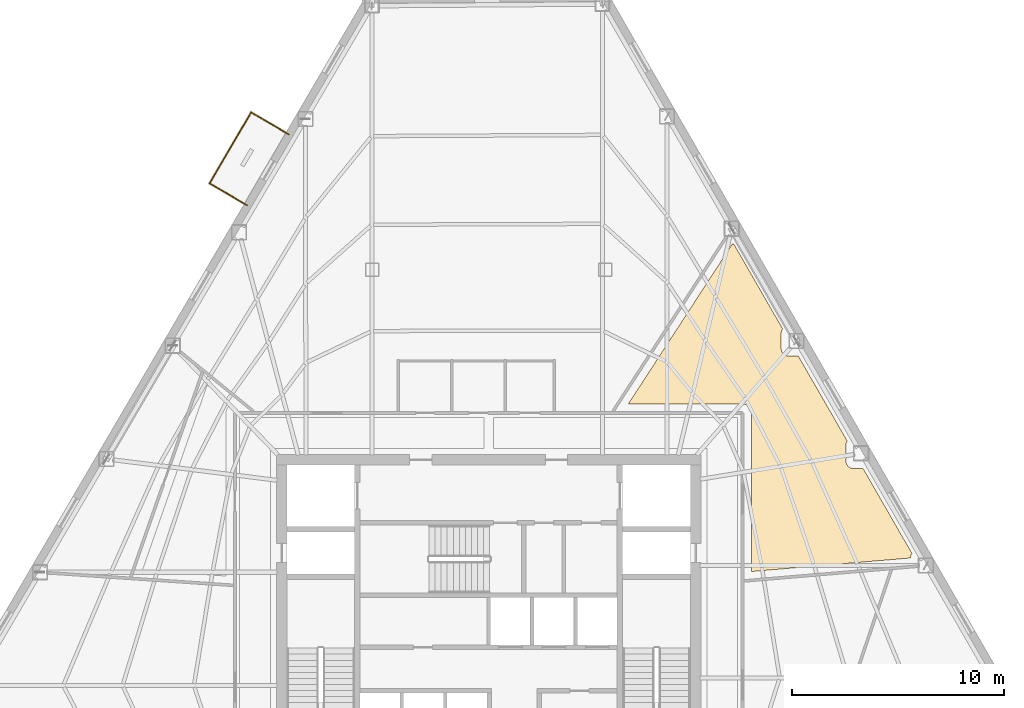
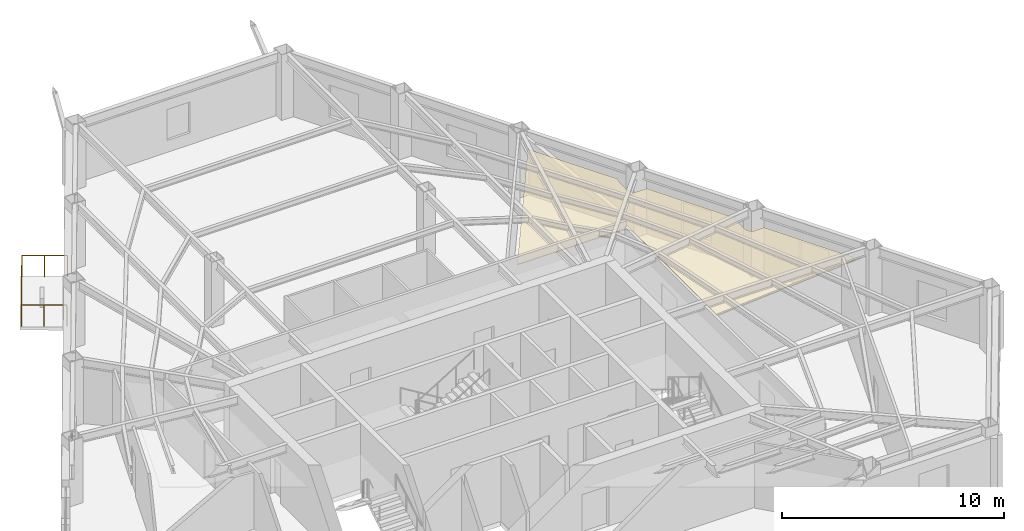
# One storey, part 12 of 12: 3 railings, 1 covering.
"""IFC4 building model written with IfcOpenShell, lengths in metres."""

import ifcopenshell
import ifcopenshell.guid

model = None  # the IFC model being written
_history = None  # IfcOwnerHistory: only IFC2X3 demands one
_inside = {}  # id of a spatial element -> (the spatial element, [elements in it])
_under = {}  # id of a project, library or spatial element -> (it, [spatial elements below it])
_declared = {}  # id of a project -> (the project, [libraries it declares])
_typed = {}  # id of a type object -> (the type object, [elements of that type])
_made_of = {}  # id of a material, layer set ... -> (it, [elements and type objects made of it])


def new_model(schema):
    """Start an empty IFC model of exactly this schema.

    Asked for "IFC4X3", IfcOpenShell would pick the latest addendum, in which some entities
    have other attributes; the version numbers below select the first issue.
    IFC2X3 requires an IfcOwnerHistory on every rooted entity: one is made here for all.
    """
    global model, _history
    if schema == "IFC4X3":
        model = ifcopenshell.file(schema_version=(4, 3, 0, 0))
    else:
        model = ifcopenshell.file(schema=schema)
    _inside.clear()
    _under.clear()
    _declared.clear()
    _typed.clear()
    _made_of.clear()
    _history = None
    if model.schema == "IFC2X3":
        org = make("IfcOrganization", Name="unknown")
        user = make(
            "IfcPersonAndOrganization",
            ThePerson=make("IfcPerson", FamilyName="unknown"),
            TheOrganization=org,
        )
        app = make(
            "IfcApplication",
            ApplicationDeveloper=org,
            Version="unknown",
            ApplicationFullName="unknown",
            ApplicationIdentifier="unknown",
        )
        _history = make(
            "IfcOwnerHistory",
            OwningUser=user,
            OwningApplication=app,
            ChangeAction="ADDED",
            CreationDate=0,
        )
    return model


def make(cls, **values):
    """One entity of the class cls with the attributes given. An attribute that is None is left unset."""
    return model.create_entity(
        cls, **{name: value for name, value in values.items() if value is not None}
    )


def rooted(cls, **values):
    """An entity with a GlobalId (a new one), such as an element, a storey or a relation."""
    return make(cls, GlobalId=ifcopenshell.guid.new(), OwnerHistory=_history, **values)


def si_unit(unit_type, name, prefix=None):
    """IfcSIUnit, for example si_unit("LENGTHUNIT", "METRE", prefix="MILLI")."""
    return make("IfcSIUnit", UnitType=unit_type, Prefix=prefix, Name=name)


def assignment(units):
    """IfcUnitAssignment: the units of a project."""
    return None if units is None else make("IfcUnitAssignment", Units=units)


def point(xyz):
    """IfcCartesianPoint."""
    return None if xyz is None else make("IfcCartesianPoint", Coordinates=xyz)


def direction(xyz):
    """IfcDirection."""
    return None if xyz is None else make("IfcDirection", DirectionRatios=xyz)


def frame(location, z_axis=None, x_axis=None):
    """IfcAxis2Placement3D, a coordinate frame: its origin and axes. An axis left out is left unset."""
    return make(
        "IfcAxis2Placement3D",
        Location=point(location),
        Axis=direction(z_axis),
        RefDirection=direction(x_axis),
    )


def frame_2d(location, x_axis=None):
    """IfcAxis2Placement2D, a coordinate frame in the plane: its origin and x axis."""
    return make(
        "IfcAxis2Placement2D", Location=point(location), RefDirection=direction(x_axis)
    )


def origin():
    """The frame at (0, 0, 0) with its axes left unset."""
    return frame((0.0, 0.0, 0.0))


def origin_2d():
    """The frame at (0, 0) in the plane with its x axis left unset."""
    return frame_2d((0.0, 0.0))


def place(relative_to, where):
    """IfcLocalPlacement: puts the frame where relative to a parent placement (None: the world)."""
    return make(
        "IfcLocalPlacement", PlacementRelTo=relative_to, RelativePlacement=where
    )


def context(
    kind, dimensions, precision=None, world=None, true_north=None, identifier=None
):
    """IfcGeometricRepresentationContext, for example the 3D "Model" context."""
    return make(
        "IfcGeometricRepresentationContext",
        ContextIdentifier=identifier,
        ContextType=kind,
        CoordinateSpaceDimension=dimensions,
        Precision=precision,
        WorldCoordinateSystem=world,
        TrueNorth=true_north,
    )


def subcontext(parent, identifier, kind, view, scale=None):
    """IfcGeometricRepresentationSubContext, for example "Body" below "Model"."""
    return make(
        "IfcGeometricRepresentationSubContext",
        ContextIdentifier=identifier,
        ContextType=kind,
        ParentContext=parent,
        TargetScale=scale,
        TargetView=view,
    )


def project(units=None, contexts=None):
    """IfcProject with its units and contexts."""
    return rooted(
        "IfcProject",
        Name="project",
        RepresentationContexts=contexts,
        UnitsInContext=assignment(units),
    )


def spatial(cls, under=None, at=None, **own):
    """A site, building, storey or space (cls), placed at a placement, below another one or the project."""
    s = rooted(cls, ObjectPlacement=at, **own)
    if under is not None:
        _under.setdefault(under.id(), (under, []))[1].append(s)
    return s


def polyline(points):
    """IfcPolyline through the points."""
    return make("IfcPolyline", Points=[point(p) for p in points])


def profile(cls, at=None, kind="AREA", **sizes):
    """A parametric profile (cls). Its sizes go by their IFC names, for example OverallWidth=200.0."""
    return make(cls, ProfileType=kind, Position=at, **sizes)


def circle(**sizes):
    """IfcCircleProfileDef."""
    return profile("IfcCircleProfileDef", **sizes)


def outline(outer, holes=None, kind="AREA"):
    """IfcArbitraryClosedProfileDef: a profile drawn as a closed curve; with holes, ...WithVoids."""
    if holes is None:
        return make("IfcArbitraryClosedProfileDef", ProfileType=kind, OuterCurve=outer)
    return make(
        "IfcArbitraryProfileDefWithVoids",
        ProfileType=kind,
        OuterCurve=outer,
        InnerCurves=holes,
    )


def extrude(swept, where, along, depth):
    """IfcExtrudedAreaSolid: the profile swept, set in the frame where, extruded along a direction by depth."""
    return make(
        "IfcExtrudedAreaSolid",
        SweptArea=swept,
        Position=where,
        ExtrudedDirection=direction(along),
        Depth=depth,
    )


def shape(context_of_items, identifier, shape_type, items):
    """IfcShapeRepresentation: the items that make up one representation, for example the "Body"."""
    return make(
        "IfcShapeRepresentation",
        ContextOfItems=context_of_items,
        RepresentationIdentifier=identifier,
        RepresentationType=shape_type,
        Items=items,
    )


def material(Name=None, Category=None):
    """IfcMaterial."""
    return make("IfcMaterial", Name=Name, Category=Category)


def layer(
    of_material, thickness, ventilated=None, Name=None, Category=None, Priority=None
):
    """IfcMaterialLayer: one layer of a wall or slab, of a material (None: an air gap)."""
    return make(
        "IfcMaterialLayer",
        Material=of_material,
        LayerThickness=thickness,
        IsVentilated=ventilated,
        Name=Name,
        Category=Category,
        Priority=Priority,
    )


def layer_set(layers, Name=None):
    """IfcMaterialLayerSet."""
    return make("IfcMaterialLayerSet", MaterialLayers=layers, LayerSetName=Name)


def made_of(thing, what):
    """Note that an element or type object is made of a material, layer set ...; save() writes the relation."""
    if what is not None:
        _made_of.setdefault(what.id(), (what, []))[1].append(thing)
    return thing


def type_object(cls, material=None, **own):
    """A type object (cls), such as IfcWallType, which elements share."""
    return made_of(rooted(cls, **own), material)


def element(
    cls,
    number,
    at=None,
    inside=None,
    cuts=None,
    type_object=None,
    material=None,
    context=None,
    identifier="Body",
    shape_type=None,
    held_by="IfcProductDefinitionShape",
    body=None,
    shapes=None,
    **own,
):
    """One element of the class cls, such as IfcWall. Its Tag is "e" and its number.

    at: its placement. inside: the storey or other place that contains it. cuts: it is an
    opening in that element (IfcRelVoidsElement). A single representation is given by context,
    identifier, shape_type and body (its items); several are given by shapes. held_by: the class
    of the entity that holds the representations. save() writes the other relations.
    """
    e = rooted(cls, Tag="e%d" % number, ObjectPlacement=at, **own)
    if body is not None:
        shapes = [shape(context, identifier, shape_type, body)]
    if shapes is not None:
        e.Representation = make(held_by, Representations=shapes)
    if inside is not None:
        _inside.setdefault(inside.id(), (inside, []))[1].append(e)
    if cuts is not None:
        rooted(
            "IfcRelVoidsElement", RelatingBuildingElement=cuts, RelatedOpeningElement=e
        )
    if type_object is not None:
        _typed.setdefault(type_object.id(), (type_object, []))[1].append(e)
    return made_of(e, material)


def aggregate(whole, parts):
    """IfcRelAggregates: a whole, such as a stair, and the parts it consists of."""
    return rooted("IfcRelAggregates", RelatingObject=whole, RelatedObjects=parts)


def save(model, path):
    """Write the relations noted so far, then the file.

    IfcRelAggregates (storeys below a building ...), IfcRelContainedInSpatialStructure (elements
    in a storey), IfcRelDefinesByType, IfcRelAssociatesMaterial and IfcRelDeclares: one each for
    every whole, place, type object, material and project.
    """
    for whole, parts in _under.values():
        aggregate(whole, parts)
    for where, things in _inside.values():
        rooted(
            "IfcRelContainedInSpatialStructure",
            RelatedElements=things,
            RelatingStructure=where,
        )
    for kind, things in _typed.values():
        rooted("IfcRelDefinesByType", RelatedObjects=things, RelatingType=kind)
    for what, things in _made_of.values():
        rooted("IfcRelAssociatesMaterial", RelatedObjects=things, RelatingMaterial=what)
    for by, libraries in _declared.values():
        rooted("IfcRelDeclares", RelatingContext=by, RelatedDefinitions=libraries)
    model.write(path)


model = new_model("IFC4")

# Units and contexts
model_context = context("Model", 3, precision=1e-05, world=origin(), true_north=direction((0.0, 1.0)))
body_context = subcontext(model_context, "Body", "Model", "MODEL_VIEW")
ifc_project = project(units=[si_unit("LENGTHUNIT", "METRE"), si_unit("AREAUNIT", "SQUARE_METRE"), si_unit("VOLUMEUNIT", "CUBIC_METRE"), si_unit("PLANEANGLEUNIT", "RADIAN"), si_unit("MASSUNIT", "GRAM", prefix="KILO")], contexts=[model_context])

# Site, building, storey
site_placement = place(None, origin())
site = spatial("IfcSite", under=ifc_project, at=site_placement, CompositionType="ELEMENT")
building_placement = place(site_placement, origin())
building = spatial("IfcBuilding", under=site, at=building_placement, Name="Kavelnor Concourse Tower", CompositionType="ELEMENT")
storey_placement = place(building_placement, frame((0.0, 0.0, 143.25)))
storey = spatial("IfcBuildingStorey", under=building, at=storey_placement, Name="L36", CompositionType="ELEMENT", Elevation=143.25)

# Covering
ifc_material_1 = material(Name="Mineral fibre acoustic ceiling tile")
ifc_layer = layer(ifc_material_1, 0.0400390625, Name="Mineral fibre acoustic ceiling tile")
ifc_layer_set = layer_set([ifc_layer], Name="Mineral fibre acoustic ceiling tile")
covering_type = type_object("IfcCoveringType", Name="COV-CEILING-ACOUSTIC", PredefinedType="CEILING", material=ifc_layer_set)
covering_placement = place(storey_placement, frame((0.0, 0.0, 2.75)))
element("IfcCovering", 1, at=covering_placement, inside=storey, type_object=covering_type, Name="L36 Suspended Acoustic Ceiling", PredefinedType="CEILING", context=body_context, shape_type="SweptSolid", body=[
    extrude(outline(polyline([(50.390869140625, 25.091552734375), (50.384765625, 25.132568359375), (50.374755859375, 25.1728515625), (50.360595703125, 25.2119140625), (50.343017578125, 25.24951171875), (50.321533203125, 25.284912109375), (50.296875, 25.318359375), (50.26904296875, 25.34912109375), (50.23828125, 25.376953125), (50.205078125, 25.401611328125), (50.16943359375, 25.423095703125), (50.1318359375, 25.440673828125), (50.0927734375, 25.45458984375), (50.052490234375, 25.46484375), (50.011474609375, 25.470947265625), (49.978271484375, 25.472412109375), (44.58740234375, 25.472412109375), (49.4970703125, 33.025390625), (49.5615234375, 33.025390625), (51.869873046875, 29.017822265625), (51.862060546875, 29.00732421875), (51.84375, 28.97705078125), (51.82861328125, 28.945068359375), (51.81689453125, 28.91162109375), (51.80810546875, 28.87744140625), (51.802978515625, 28.84228515625), (51.8017578125, 28.8154296875), (51.8017578125, 28.078857421875), (51.802978515625, 28.0517578125), (51.80810546875, 28.016845703125), (51.81689453125, 27.982421875), (51.82861328125, 27.94921875), (51.84375, 27.917236328125), (51.862060546875, 27.886962890625), (51.883056640625, 27.8583984375), (51.906982421875, 27.832275390625), (51.93310546875, 27.80859375), (51.96142578125, 27.787353515625), (51.99169921875, 27.769287109375), (52.023681640625, 27.754150390625), (52.05712890625, 27.7421875), (52.09130859375, 27.733642578125), (52.12646484375, 27.728515625), (52.1533203125, 27.72705078125), (52.61328125, 27.72705078125), (54.92138671875, 23.719482421875), (54.91357421875, 23.708984375), (54.895263671875, 23.6787109375), (54.880126953125, 23.646484375), (54.868408203125, 23.61328125), (54.859619140625, 23.5791015625), (54.8544921875, 23.5439453125), (54.853271484375, 23.51708984375), (54.853271484375, 22.780517578125), (54.8544921875, 22.75341796875), (54.859619140625, 22.718505859375), (54.868408203125, 22.68408203125), (54.880126953125, 22.65087890625), (54.895263671875, 22.618896484375), (54.91357421875, 22.58837890625), (54.9345703125, 22.56005859375), (54.95849609375, 22.533935546875), (54.984619140625, 22.510009765625), (55.012939453125, 22.489013671875), (55.043212890625, 22.470703125), (55.0751953125, 22.455810546875), (55.108642578125, 22.44384765625), (55.142822265625, 22.435302734375), (55.177978515625, 22.429931640625), (55.204833984375, 22.4287109375), (55.664794921875, 22.4287109375), (57.972900390625, 18.421142578125), (57.965087890625, 18.410400390625), (57.947021484375, 18.380126953125), (57.931884765625, 18.34814453125), (57.919921875, 18.31494140625), (57.911376953125, 18.280517578125), (57.906005859375, 18.24560546875), (57.90478515625, 18.218505859375), (57.90478515625, 18.205810546875), (50.392578125, 17.568115234375), (50.392578125, 25.058349609375), (50.390869140625, 25.091552734375)])), origin(), (0.0, 0.0, 1.0), 0.0400390625),
])

# Railings
ifc_material_2 = material(Name="Architectural bronze-anodised aluminium", Category="aluminium")
railing_type = type_object("IfcRailingType", Name="RLG-TERRACE-1200", PredefinedType="BALUSTRADE", material=ifc_material_2)
railing_1_placement = place(storey_placement, frame((28.5625, 38.1953125, 0.0)))
element("IfcRailing", 2, at=railing_1_placement, inside=storey, type_object=railing_type, Name="L36 Tree Balcony 1 Guardrail L", PredefinedType="BALUSTRADE", context=body_context, shape_type="SweptSolid", body=[
    extrude(circle(Radius=0.02392578125, at=origin_2d()), frame((0.0, 0.0, 1.17578125), z_axis=(-0.862909330857, 0.5053587703, 0.0), x_axis=(-0.5053587703, -0.862909330857, 0.0)), (0.0, 0.0, 1.0), 2.0498046875),
    extrude(circle(Radius=0.02099609375, at=origin_2d()), origin(), (0.0, 0.0, 1.0), 1.15185546875),
    extrude(circle(Radius=0.02099609375, at=origin_2d()), frame((-0.88427734375, 0.51806640625, 0.0)), (0.0, 0.0, 1.0), 1.15185546875),
    extrude(circle(Radius=0.02099609375, at=origin_2d()), frame((-1.768798828125, 1.035888671875, 0.0)), (0.0, 0.0, 1.0), 1.15185546875),
])
railing_2_placement = place(storey_placement, frame((26.793701171875, 39.231201171875, 0.0)))
element("IfcRailing", 3, at=railing_2_placement, inside=storey, type_object=railing_type, Name="L36 Tree Balcony 1 Guardrail F", PredefinedType="BALUSTRADE", context=body_context, shape_type="SweptSolid", body=[
    extrude(circle(Radius=0.02392578125, at=origin_2d()), frame((0.0, 0.0, 1.17578125), z_axis=(-0.505454645489, -0.862853174853, 0.0), x_axis=(0.862853174853, -0.505454645489, 0.0)), (0.0, 0.0, 1.0), 3.880126953125),
    extrude(circle(Radius=0.02099609375, at=origin_2d()), origin(), (0.0, 0.0, 1.0), 1.15185546875),
    extrude(circle(Radius=0.02099609375, at=origin_2d()), frame((-0.490234375, -0.8369140625, 0.0)), (0.0, 0.0, 1.0), 1.15185546875),
    extrude(circle(Radius=0.02099609375, at=origin_2d()), frame((-0.98046875, -1.673828125, 0.0)), (0.0, 0.0, 1.0), 1.15185546875),
    extrude(circle(Radius=0.02099609375, at=origin_2d()), frame((-1.470947265625, -2.510986328125, 0.0)), (0.0, 0.0, 1.0), 1.15185546875),
    extrude(circle(Radius=0.02099609375, at=origin_2d()), frame((-1.961181640625, -3.347900390625, 0.0)), (0.0, 0.0, 1.0), 1.15185546875),
])
railing_3_placement = place(storey_placement, frame((24.83251953125, 35.88330078125, 0.0)))
element("IfcRailing", 4, at=railing_3_placement, inside=storey, type_object=railing_type, Name="L36 Tree Balcony 1 Guardrail R", PredefinedType="BALUSTRADE", context=body_context, shape_type="SweptSolid", body=[
    extrude(circle(Radius=0.02392578125, at=origin_2d()), frame((0.0, 0.0, 1.17578125), z_axis=(0.862909330857, -0.5053587703, 0.0), x_axis=(0.5053587703, 0.862909330857, 0.0)), (0.0, 0.0, 1.0), 2.0498046875),
    extrude(circle(Radius=0.02099609375, at=origin_2d()), origin(), (0.0, 0.0, 1.0), 1.15185546875),
    extrude(circle(Radius=0.02099609375, at=origin_2d()), frame((0.88427734375, -0.51806640625, 0.0)), (0.0, 0.0, 1.0), 1.15185546875),
    extrude(circle(Radius=0.02099609375, at=origin_2d()), frame((1.768798828125, -1.035888671875, 0.0)), (0.0, 0.0, 1.0), 1.15185546875),
])

save(model, "model.ifc")
